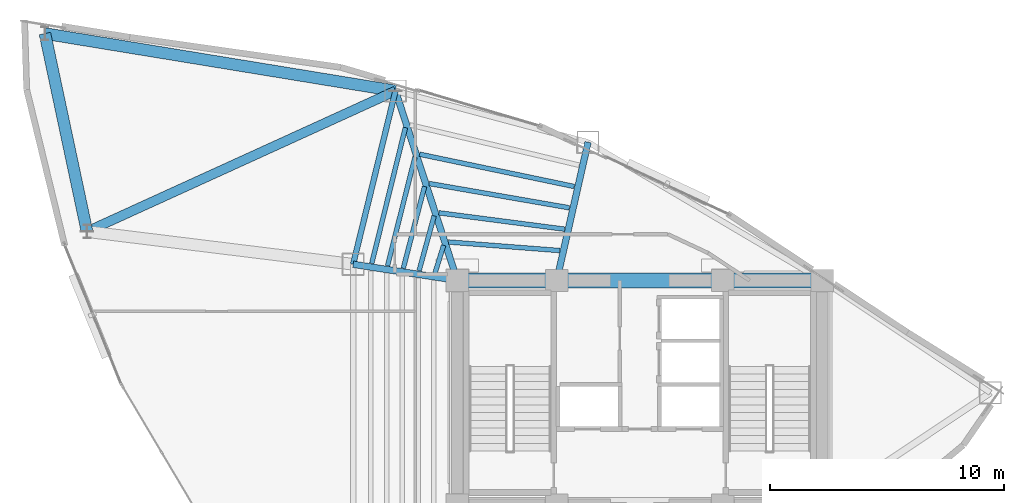
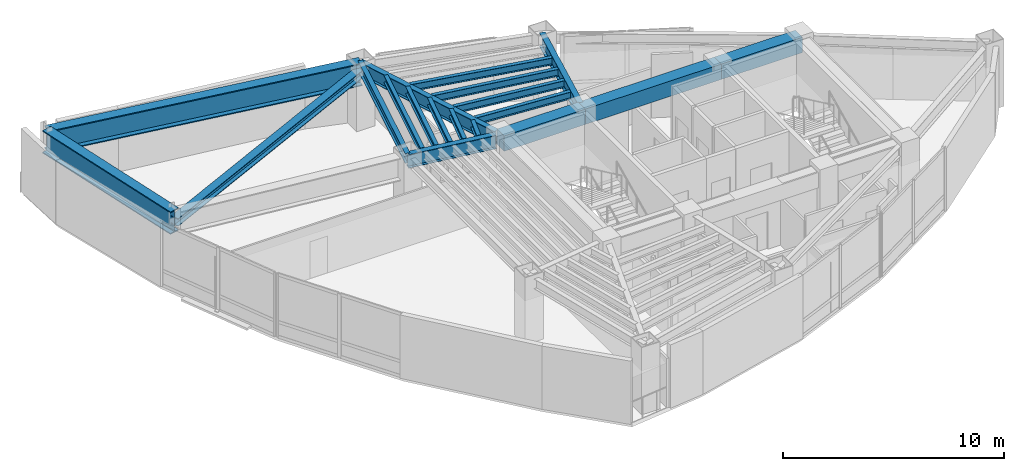
# One storey, part 7 of 16: 18 beams, 1 member.
"""IFC4 building model written with IfcOpenShell, lengths in metres."""

import ifcopenshell
import ifcopenshell.guid

model = None  # the IFC model being written
_history = None  # IfcOwnerHistory: only IFC2X3 demands one
_inside = {}  # id of a spatial element -> (the spatial element, [elements in it])
_under = {}  # id of a project, library or spatial element -> (it, [spatial elements below it])
_declared = {}  # id of a project -> (the project, [libraries it declares])
_typed = {}  # id of a type object -> (the type object, [elements of that type])
_made_of = {}  # id of a material, layer set ... -> (it, [elements and type objects made of it])


def new_model(schema):
    """Start an empty IFC model of exactly this schema.

    Asked for "IFC4X3", IfcOpenShell would pick the latest addendum, in which some entities
    have other attributes; the version numbers below select the first issue.
    IFC2X3 requires an IfcOwnerHistory on every rooted entity: one is made here for all.
    """
    global model, _history
    if schema == "IFC4X3":
        model = ifcopenshell.file(schema_version=(4, 3, 0, 0))
    else:
        model = ifcopenshell.file(schema=schema)
    _inside.clear()
    _under.clear()
    _declared.clear()
    _typed.clear()
    _made_of.clear()
    _history = None
    if model.schema == "IFC2X3":
        org = make("IfcOrganization", Name="unknown")
        user = make(
            "IfcPersonAndOrganization",
            ThePerson=make("IfcPerson", FamilyName="unknown"),
            TheOrganization=org,
        )
        app = make(
            "IfcApplication",
            ApplicationDeveloper=org,
            Version="unknown",
            ApplicationFullName="unknown",
            ApplicationIdentifier="unknown",
        )
        _history = make(
            "IfcOwnerHistory",
            OwningUser=user,
            OwningApplication=app,
            ChangeAction="ADDED",
            CreationDate=0,
        )
    return model


def make(cls, **values):
    """One entity of the class cls with the attributes given. An attribute that is None is left unset."""
    return model.create_entity(
        cls, **{name: value for name, value in values.items() if value is not None}
    )


def rooted(cls, **values):
    """An entity with a GlobalId (a new one), such as an element, a storey or a relation."""
    return make(cls, GlobalId=ifcopenshell.guid.new(), OwnerHistory=_history, **values)


def si_unit(unit_type, name, prefix=None):
    """IfcSIUnit, for example si_unit("LENGTHUNIT", "METRE", prefix="MILLI")."""
    return make("IfcSIUnit", UnitType=unit_type, Prefix=prefix, Name=name)


def assignment(units):
    """IfcUnitAssignment: the units of a project."""
    return None if units is None else make("IfcUnitAssignment", Units=units)


def point(xyz):
    """IfcCartesianPoint."""
    return None if xyz is None else make("IfcCartesianPoint", Coordinates=xyz)


def direction(xyz):
    """IfcDirection."""
    return None if xyz is None else make("IfcDirection", DirectionRatios=xyz)


def frame(location, z_axis=None, x_axis=None):
    """IfcAxis2Placement3D, a coordinate frame: its origin and axes. An axis left out is left unset."""
    return make(
        "IfcAxis2Placement3D",
        Location=point(location),
        Axis=direction(z_axis),
        RefDirection=direction(x_axis),
    )


def frame_2d(location, x_axis=None):
    """IfcAxis2Placement2D, a coordinate frame in the plane: its origin and x axis."""
    return make(
        "IfcAxis2Placement2D", Location=point(location), RefDirection=direction(x_axis)
    )


def origin():
    """The frame at (0, 0, 0) with its axes left unset."""
    return frame((0.0, 0.0, 0.0))


def origin_2d():
    """The frame at (0, 0) in the plane with its x axis left unset."""
    return frame_2d((0.0, 0.0))


def place(relative_to, where):
    """IfcLocalPlacement: puts the frame where relative to a parent placement (None: the world)."""
    return make(
        "IfcLocalPlacement", PlacementRelTo=relative_to, RelativePlacement=where
    )


def context(
    kind, dimensions, precision=None, world=None, true_north=None, identifier=None
):
    """IfcGeometricRepresentationContext, for example the 3D "Model" context."""
    return make(
        "IfcGeometricRepresentationContext",
        ContextIdentifier=identifier,
        ContextType=kind,
        CoordinateSpaceDimension=dimensions,
        Precision=precision,
        WorldCoordinateSystem=world,
        TrueNorth=true_north,
    )


def subcontext(parent, identifier, kind, view, scale=None):
    """IfcGeometricRepresentationSubContext, for example "Body" below "Model"."""
    return make(
        "IfcGeometricRepresentationSubContext",
        ContextIdentifier=identifier,
        ContextType=kind,
        ParentContext=parent,
        TargetScale=scale,
        TargetView=view,
    )


def project(units=None, contexts=None):
    """IfcProject with its units and contexts."""
    return rooted(
        "IfcProject",
        Name="project",
        RepresentationContexts=contexts,
        UnitsInContext=assignment(units),
    )


def spatial(cls, under=None, at=None, **own):
    """A site, building, storey or space (cls), placed at a placement, below another one or the project."""
    s = rooted(cls, ObjectPlacement=at, **own)
    if under is not None:
        _under.setdefault(under.id(), (under, []))[1].append(s)
    return s


def profile(cls, at=None, kind="AREA", **sizes):
    """A parametric profile (cls). Its sizes go by their IFC names, for example OverallWidth=200.0."""
    return make(cls, ProfileType=kind, Position=at, **sizes)


def rectangle(**sizes):
    """IfcRectangleProfileDef."""
    return profile("IfcRectangleProfileDef", **sizes)


def i_section(**sizes):
    """IfcIShapeProfileDef."""
    return profile("IfcIShapeProfileDef", **sizes)


def extrude(swept, where, along, depth):
    """IfcExtrudedAreaSolid: the profile swept, set in the frame where, extruded along a direction by depth."""
    return make(
        "IfcExtrudedAreaSolid",
        SweptArea=swept,
        Position=where,
        ExtrudedDirection=direction(along),
        Depth=depth,
    )


def shape(context_of_items, identifier, shape_type, items):
    """IfcShapeRepresentation: the items that make up one representation, for example the "Body"."""
    return make(
        "IfcShapeRepresentation",
        ContextOfItems=context_of_items,
        RepresentationIdentifier=identifier,
        RepresentationType=shape_type,
        Items=items,
    )


def material(Name=None, Category=None):
    """IfcMaterial."""
    return make("IfcMaterial", Name=Name, Category=Category)


def material_profile(
    of_material, cross_section, Name=None, Category=None, Priority=None
):
    """IfcMaterialProfile: a cross section and its material."""
    return make(
        "IfcMaterialProfile",
        Name=Name,
        Material=of_material,
        Profile=cross_section,
        Priority=Priority,
        Category=Category,
    )


def profile_set(profiles, Name=None, composite=None):
    """IfcMaterialProfileSet."""
    return make(
        "IfcMaterialProfileSet",
        Name=Name,
        MaterialProfiles=profiles,
        CompositeProfile=composite,
    )


def made_of(thing, what):
    """Note that an element or type object is made of a material, layer set ...; save() writes the relation."""
    if what is not None:
        _made_of.setdefault(what.id(), (what, []))[1].append(thing)
    return thing


def type_object(cls, material=None, **own):
    """A type object (cls), such as IfcWallType, which elements share."""
    return made_of(rooted(cls, **own), material)


def element(
    cls,
    number,
    at=None,
    inside=None,
    cuts=None,
    type_object=None,
    material=None,
    context=None,
    identifier="Body",
    shape_type=None,
    held_by="IfcProductDefinitionShape",
    body=None,
    shapes=None,
    **own,
):
    """One element of the class cls, such as IfcWall. Its Tag is "e" and its number.

    at: its placement. inside: the storey or other place that contains it. cuts: it is an
    opening in that element (IfcRelVoidsElement). A single representation is given by context,
    identifier, shape_type and body (its items); several are given by shapes. held_by: the class
    of the entity that holds the representations. save() writes the other relations.
    """
    e = rooted(cls, Tag="e%d" % number, ObjectPlacement=at, **own)
    if body is not None:
        shapes = [shape(context, identifier, shape_type, body)]
    if shapes is not None:
        e.Representation = make(held_by, Representations=shapes)
    if inside is not None:
        _inside.setdefault(inside.id(), (inside, []))[1].append(e)
    if cuts is not None:
        rooted(
            "IfcRelVoidsElement", RelatingBuildingElement=cuts, RelatedOpeningElement=e
        )
    if type_object is not None:
        _typed.setdefault(type_object.id(), (type_object, []))[1].append(e)
    return made_of(e, material)


def aggregate(whole, parts):
    """IfcRelAggregates: a whole, such as a stair, and the parts it consists of."""
    return rooted("IfcRelAggregates", RelatingObject=whole, RelatedObjects=parts)


def save(model, path):
    """Write the relations noted so far, then the file.

    IfcRelAggregates (storeys below a building ...), IfcRelContainedInSpatialStructure (elements
    in a storey), IfcRelDefinesByType, IfcRelAssociatesMaterial and IfcRelDeclares: one each for
    every whole, place, type object, material and project.
    """
    for whole, parts in _under.values():
        aggregate(whole, parts)
    for where, things in _inside.values():
        rooted(
            "IfcRelContainedInSpatialStructure",
            RelatedElements=things,
            RelatingStructure=where,
        )
    for kind, things in _typed.values():
        rooted("IfcRelDefinesByType", RelatedObjects=things, RelatingType=kind)
    for what, things in _made_of.values():
        rooted("IfcRelAssociatesMaterial", RelatedObjects=things, RelatingMaterial=what)
    for by, libraries in _declared.values():
        rooted("IfcRelDeclares", RelatingContext=by, RelatedDefinitions=libraries)
    model.write(path)


model = new_model("IFC4")

# Units and contexts
model_context = context("Model", 3, precision=1e-05, world=origin(), true_north=direction((0.0, 1.0)))
body_context = subcontext(model_context, "Body", "Model", "MODEL_VIEW")
ifc_project = project(units=[si_unit("LENGTHUNIT", "METRE"), si_unit("AREAUNIT", "SQUARE_METRE"), si_unit("VOLUMEUNIT", "CUBIC_METRE"), si_unit("PLANEANGLEUNIT", "RADIAN"), si_unit("MASSUNIT", "GRAM", prefix="KILO")], contexts=[model_context])

# Site, building, storey
site_placement = place(None, origin())
site = spatial("IfcSite", under=ifc_project, at=site_placement, CompositionType="ELEMENT")
building_placement = place(site_placement, origin())
building = spatial("IfcBuilding", under=site, at=building_placement, Name="Menara Vayukalpa", CompositionType="ELEMENT")
storey_placement = place(building_placement, frame((0.0, 0.0, 198.9599609375)))
storey = spatial("IfcBuildingStorey", under=building, at=storey_placement, Name="L50", CompositionType="ELEMENT", Elevation=198.9599609375)

# Beams
ifc_material_1 = material(Name="Concrete C60/75", Category="concrete")
ifc_material_profile_1 = material_profile(ifc_material_1, rectangle(XDim=0.64990234375, YDim=0.85009765625, at=origin_2d()), Name="RC 650x850")
ifc_profile_set_1 = profile_set([ifc_material_profile_1], Name="Concrete C60/75")
beam_type_1 = type_object("IfcBeamType", Name="BM-CB1", PredefinedType="BEAM", material=ifc_profile_set_1)
beam_1_placement = place(storey_placement, frame((17.800048828125, 26.800048828125, 3.074951171875), z_axis=(1.0, 0.0, 0.0), x_axis=(0.0, 1.0, 0.0)))
element("IfcBeam", 1, at=beam_1_placement, inside=storey, type_object=beam_type_1, Name="L50 Core Tie Beam CBR4", PredefinedType="BEAM", context=body_context, shape_type="SweptSolid", body=[
    extrude(rectangle(XDim=0.64990234375, YDim=0.85009765625, at=origin_2d()), origin(), (0.0, 0.0, 1.0), 4.25),
])
beam_2_placement = place(storey_placement, frame((22.050048828125, 26.800048828125, 3.074951171875), z_axis=(1.0, 0.0, 0.0), x_axis=(0.0, 1.0, 0.0)))
element("IfcBeam", 2, at=beam_2_placement, inside=storey, type_object=beam_type_1, Name="L50 Core Tie Beam CBR5", PredefinedType="BEAM", context=body_context, shape_type="SweptSolid", body=[
    extrude(rectangle(XDim=0.64990234375, YDim=0.85009765625, at=origin_2d()), origin(), (0.0, 0.0, 1.0), 7.099853515625),
])
beam_3_placement = place(storey_placement, frame((29.14990234375, 26.800048828125, 3.074951171875), z_axis=(1.0, 0.0, 0.0), x_axis=(0.0, 1.0, 0.0)))
element("IfcBeam", 3, at=beam_3_placement, inside=storey, type_object=beam_type_1, Name="L50 Core Tie Beam CBR6", PredefinedType="BEAM", context=body_context, shape_type="SweptSolid", body=[
    extrude(rectangle(XDim=0.64990234375, YDim=0.85009765625, at=origin_2d()), origin(), (0.0, 0.0, 1.0), 4.25),
])
ifc_material_2 = material(Name="Steel S355", Category="steel")
ifc_material_profile_2 = material_profile(ifc_material_2, i_section(OverallWidth=0.280029296875, OverallDepth=0.75, WebThickness=0.013916015625, FlangeThickness=0.02490234375, at=origin_2d()), Name="WF 750x280x14x25")
ifc_profile_set_2 = profile_set([ifc_material_profile_2], Name="Steel S355")
beam_type_2 = type_object("IfcBeamType", Name="BM-PG4", PredefinedType="BEAM", material=ifc_profile_set_2)
beam_4_placement = place(storey_placement, frame((22.105224609375, 27.043701171875, 3.125), z_axis=(0.221085149161, 0.975254508741, 0.0), x_axis=(-0.975254508741, 0.221085149161, 0.0)))
element("IfcBeam", 4, at=beam_4_placement, inside=storey, type_object=beam_type_2, Name="L50 Primary Radial Girder RG03", PredefinedType="BEAM", context=body_context, shape_type="SweptSolid", body=[
    extrude(i_section(OverallWidth=0.280029296875, OverallDepth=0.75, WebThickness=0.013916015625, FlangeThickness=0.02490234375, at=origin_2d()), origin(), (0.0, 0.0, 1.0), 5.80859375),
])
beam_5_placement = place(storey_placement, frame((17.722412109375, 27.03759765625, 3.125), z_axis=(-0.310343552153, 0.950624468251, 0.0), x_axis=(-0.950624468251, -0.310343552153, 0.0)))
element("IfcBeam", 5, at=beam_5_placement, inside=storey, type_object=beam_type_2, Name="L50 Primary Radial Girder RG04", PredefinedType="BEAM", context=body_context, shape_type="SweptSolid", body=[
    extrude(i_section(OverallWidth=0.280029296875, OverallDepth=0.75, WebThickness=0.013916015625, FlangeThickness=0.02490234375, at=origin_2d()), origin(), (0.0, 0.0, 1.0), 8.2734375),
])
beam_6_placement = place(storey_placement, frame((17.552978515625, 26.838134765625, 3.125), z_axis=(-0.988244781219, 0.152879862617, 0.0), x_axis=(-0.152879862617, -0.988244781219, 0.0)))
element("IfcBeam", 6, at=beam_6_placement, inside=storey, type_object=beam_type_2, Name="L50 Primary Radial Girder RG05", PredefinedType="BEAM", context=body_context, shape_type="SweptSolid", body=[
    extrude(i_section(OverallWidth=0.280029296875, OverallDepth=0.75, WebThickness=0.013916015625, FlangeThickness=0.02490234375, at=origin_2d()), origin(), (0.0, 0.0, 1.0), 4.259033203125),
])
ifc_material_3 = material(Name="Steel S355", Category="steel")
ifc_material_profile_3 = material_profile(ifc_material_3, i_section(OverallWidth=0.199951171875, OverallDepth=0.39990234375, WebThickness=0.008056640625, FlangeThickness=0.012939453125, at=origin_2d()), Name="WF 400x200x8x13")
ifc_profile_set_3 = profile_set([ifc_material_profile_3], Name="Steel S355")
beam_type_3 = type_object("IfcBeamType", Name="BM-SJ2", PredefinedType="JOIST", material=ifc_profile_set_3)
beam_7_placement = place(storey_placement, frame((22.177001953125, 28.07568359375, 3.300048828125), z_axis=(-0.997061705182, 0.076602585202, 0.0), x_axis=(-0.076602585202, -0.997061705182, 0.0)))
element("IfcBeam", 7, at=beam_7_placement, inside=storey, type_object=beam_type_3, Name="L50 Secondary Floor Joist SJ03-1", PredefinedType="JOIST", context=body_context, shape_type="SweptSolid", body=[
    extrude(i_section(OverallWidth=0.199951171875, OverallDepth=0.39990234375, WebThickness=0.008056640625, FlangeThickness=0.012939453125, at=origin_2d()), origin(), (0.0, 0.0, 1.0), 4.77099609375),
])
beam_8_placement = place(storey_placement, frame((22.38330078125, 28.990478515625, 3.300048828125), z_axis=(-0.99161070493, 0.129260240866, 0.0), x_axis=(-0.129260240866, -0.99161070493, 0.0)))
element("IfcBeam", 8, at=beam_8_placement, inside=storey, type_object=beam_type_3, Name="L50 Secondary Floor Joist SJ03-2", PredefinedType="JOIST", context=body_context, shape_type="SweptSolid", body=[
    extrude(i_section(OverallWidth=0.199951171875, OverallDepth=0.39990234375, WebThickness=0.008056640625, FlangeThickness=0.012939453125, at=origin_2d()), origin(), (0.0, 0.0, 1.0), 5.420654296875),
])
beam_9_placement = place(storey_placement, frame((22.589599609375, 29.9033203125, 3.300048828125), z_axis=(-0.985288833054, 0.170897382832, 0.0), x_axis=(-0.170897382832, -0.985288833054, 0.0)))
element("IfcBeam", 9, at=beam_9_placement, inside=storey, type_object=beam_type_3, Name="L50 Secondary Floor Joist SJ03-3", PredefinedType="JOIST", context=body_context, shape_type="SweptSolid", body=[
    extrude(i_section(OverallWidth=0.199951171875, OverallDepth=0.39990234375, WebThickness=0.008056640625, FlangeThickness=0.012939453125, at=origin_2d()), origin(), (0.0, 0.0, 1.0), 6.0830078125),
])
beam_10_placement = place(storey_placement, frame((22.796142578125, 30.815185546875, 3.300048828125), z_axis=(-0.97888709748, 0.204401688806, 0.0), x_axis=(-0.204401688806, -0.97888709748, 0.0)))
element("IfcBeam", 10, at=beam_10_placement, inside=storey, type_object=beam_type_3, Name="L50 Secondary Floor Joist SJ03-4", PredefinedType="JOIST", context=body_context, shape_type="SweptSolid", body=[
    extrude(i_section(OverallWidth=0.199951171875, OverallDepth=0.39990234375, WebThickness=0.008056640625, FlangeThickness=0.012939453125, at=origin_2d()), origin(), (0.0, 0.0, 1.0), 6.75439453125),
])
beam_11_placement = place(storey_placement, frame((17.212890625, 28.300537109375, 3.300048828125), z_axis=(-0.296448419226, -0.955048865105, 0.0), x_axis=(0.955048865105, -0.296448419226, 0.0)))
element("IfcBeam", 11, at=beam_11_placement, inside=storey, type_object=beam_type_3, Name="L50 Secondary Floor Joist SJ04-1", PredefinedType="JOIST", context=body_context, shape_type="SweptSolid", body=[
    extrude(i_section(OverallWidth=0.199951171875, OverallDepth=0.39990234375, WebThickness=0.008056640625, FlangeThickness=0.012939453125, at=origin_2d()), origin(), (0.0, 0.0, 1.0), 1.24853515625),
])
beam_12_placement = place(storey_placement, frame((16.80712890625, 29.5576171875, 3.300048828125), z_axis=(-0.264502665082, -0.964384954344, 0.0), x_axis=(0.964384954344, -0.264502665082, 0.0)))
element("IfcBeam", 12, at=beam_12_placement, inside=storey, type_object=beam_type_3, Name="L50 Secondary Floor Joist SJ04-2", PredefinedType="JOIST", context=body_context, shape_type="SweptSolid", body=[
    extrude(i_section(OverallWidth=0.199951171875, OverallDepth=0.39990234375, WebThickness=0.008056640625, FlangeThickness=0.012939453125, at=origin_2d()), origin(), (0.0, 0.0, 1.0), 2.430419921875),
])
beam_13_placement = place(storey_placement, frame((16.398193359375, 30.815185546875, 3.300048828125), z_axis=(-0.251714869346, -0.967801438597, 0.0), x_axis=(0.967801438597, -0.251714869346, 0.0)))
element("IfcBeam", 13, at=beam_13_placement, inside=storey, type_object=beam_type_3, Name="L50 Secondary Floor Joist SJ04-3", PredefinedType="JOIST", context=body_context, shape_type="SweptSolid", body=[
    extrude(i_section(OverallWidth=0.199951171875, OverallDepth=0.39990234375, WebThickness=0.008056640625, FlangeThickness=0.012939453125, at=origin_2d()), origin(), (0.0, 0.0, 1.0), 3.61279296875),
])
beam_14_placement = place(storey_placement, frame((15.988525390625, 32.073486328125, 3.300048828125), z_axis=(-0.24483447751, -0.969564891393, 0.0), x_axis=(0.969564891393, -0.24483447751, 0.0)))
element("IfcBeam", 14, at=beam_14_placement, inside=storey, type_object=beam_type_3, Name="L50 Secondary Floor Joist SJ04-4", PredefinedType="JOIST", context=body_context, shape_type="SweptSolid", body=[
    extrude(i_section(OverallWidth=0.199951171875, OverallDepth=0.39990234375, WebThickness=0.008056640625, FlangeThickness=0.012939453125, at=origin_2d()), origin(), (0.0, 0.0, 1.0), 4.79638671875),
])
beam_15_placement = place(storey_placement, frame((15.57861328125, 33.33154296875, 3.300048828125), z_axis=(-0.240556182956, -0.970635216156, 0.0), x_axis=(0.970635216156, -0.240556182956, 0.0)))
element("IfcBeam", 15, at=beam_15_placement, inside=storey, type_object=beam_type_3, Name="L50 Secondary Floor Joist SJ04-5", PredefinedType="JOIST", context=body_context, shape_type="SweptSolid", body=[
    extrude(i_section(OverallWidth=0.199951171875, OverallDepth=0.39990234375, WebThickness=0.008056640625, FlangeThickness=0.012939453125, at=origin_2d()), origin(), (0.0, 0.0, 1.0), 5.979736328125),
])
ifc_material_4 = material(Name="Steel S355", Category="steel")
ifc_material_profile_4 = material_profile(ifc_material_4, i_section(OverallWidth=0.239990234375, OverallDepth=0.550048828125, WebThickness=0.010986328125, FlangeThickness=0.01904296875, at=origin_2d()), Name="WF 550x240x11x19")
ifc_profile_set_4 = profile_set([ifc_material_profile_4], Name="Steel S355")
beam_type_4 = type_object("IfcBeamType", Name="BM-SP2", PredefinedType="SPANDREL", material=ifc_profile_set_4)
beam_16_placement = place(storey_placement, frame((15.15478515625, 34.902587890625, 3.22509765625), z_axis=(-0.237285374413, -0.971439988414, 0.0), x_axis=(0.971439988414, -0.237285374413, 0.0)))
element("IfcBeam", 16, at=beam_16_placement, inside=storey, type_object=beam_type_4, Name="L50 Perimeter Spandrel Beam SP04", PredefinedType="SPANDREL", context=body_context, shape_type="SweptSolid", body=[
    extrude(i_section(OverallWidth=0.239990234375, OverallDepth=0.550048828125, WebThickness=0.010986328125, FlangeThickness=0.01904296875, at=origin_2d()), origin(), (0.0, 0.0, 1.0), 7.63134765625),
])
ifc_material_5 = material(Name="Steel S460", Category="steel")
ifc_material_profile_5 = material_profile(ifc_material_5, i_section(OverallWidth=0.5, OverallDepth=1.25, WebThickness=0.028076171875, FlangeThickness=0.054931640625, at=origin_2d()), Name="WG 1250x500x28x55")
ifc_profile_set_5 = profile_set([ifc_material_profile_5], Name="Steel S460")
beam_type_5 = type_object("IfcBeamType", Name="BM-TG2", PredefinedType="BEAM", material=ifc_profile_set_5)
beam_17_placement = place(storey_placement, frame((15.15478515625, 34.902587890625, 2.875), z_axis=(-0.986879146906, 0.161460674474, 0.0), x_axis=(-0.161460674474, -0.986879146906, 0.0)))
element("IfcBeam", 17, at=beam_17_placement, inside=storey, type_object=beam_type_5, Name="L50 SB4 Sky Bar Vierendeel Girder 04", PredefinedType="BEAM", context=body_context, shape_type="SweptSolid", body=[
    extrude(i_section(OverallWidth=0.5, OverallDepth=1.25, WebThickness=0.028076171875, FlangeThickness=0.054931640625, at=origin_2d()), origin(), (0.0, 0.0, 1.0), 15.188720703125),
])
beam_18_placement = place(storey_placement, frame((0.165283203125, 37.35498046875, 2.875), z_axis=(0.208089844975, -0.978109715941, 0.0), x_axis=(0.978109715941, 0.208089844975, 0.0)))
element("IfcBeam", 18, at=beam_18_placement, inside=storey, type_object=beam_type_5, Name="L50 SB4 Sky Bar Edge Girder 1", PredefinedType="BEAM", context=body_context, shape_type="SweptSolid", body=[
    extrude(i_section(OverallWidth=0.5, OverallDepth=1.25, WebThickness=0.028076171875, FlangeThickness=0.054931640625, at=origin_2d()), origin(), (0.0, 0.0, 1.0), 8.655029296875),
])

# Member
ifc_material_6 = material(Name="Steel S460", Category="steel")
ifc_material_profile_6 = material_profile(ifc_material_6, i_section(OverallWidth=0.406982421875, OverallDepth=0.427978515625, WebThickness=0.02001953125, FlangeThickness=0.034912109375, at=origin_2d()), Name="H 428x407x20x35")
ifc_profile_set_6 = profile_set([ifc_material_profile_6], Name="Steel S460")
member_type = type_object("IfcMemberType", Name="MEM-BR1", PredefinedType="BRACE", material=ifc_profile_set_6)
member_placement = place(storey_placement, frame((15.15478515625, 34.902587890625, 2.875), z_axis=(-0.909887096764, -0.414855964333, 0.0), x_axis=(0.414855964333, -0.909887096764, 0.0)))
element("IfcMember", 19, at=member_placement, inside=storey, type_object=member_type, Name="L50 SB4 Sky Bar Diaphragm Truss Brace 04", PredefinedType="BRACE", context=body_context, shape_type="SweptSolid", body=[
    extrude(i_section(OverallWidth=0.406982421875, OverallDepth=0.427978515625, WebThickness=0.02001953125, FlangeThickness=0.034912109375, at=origin_2d()), origin(), (0.0, 0.0, 1.0), 14.49462890625),
])

save(model, "model.ifc")
